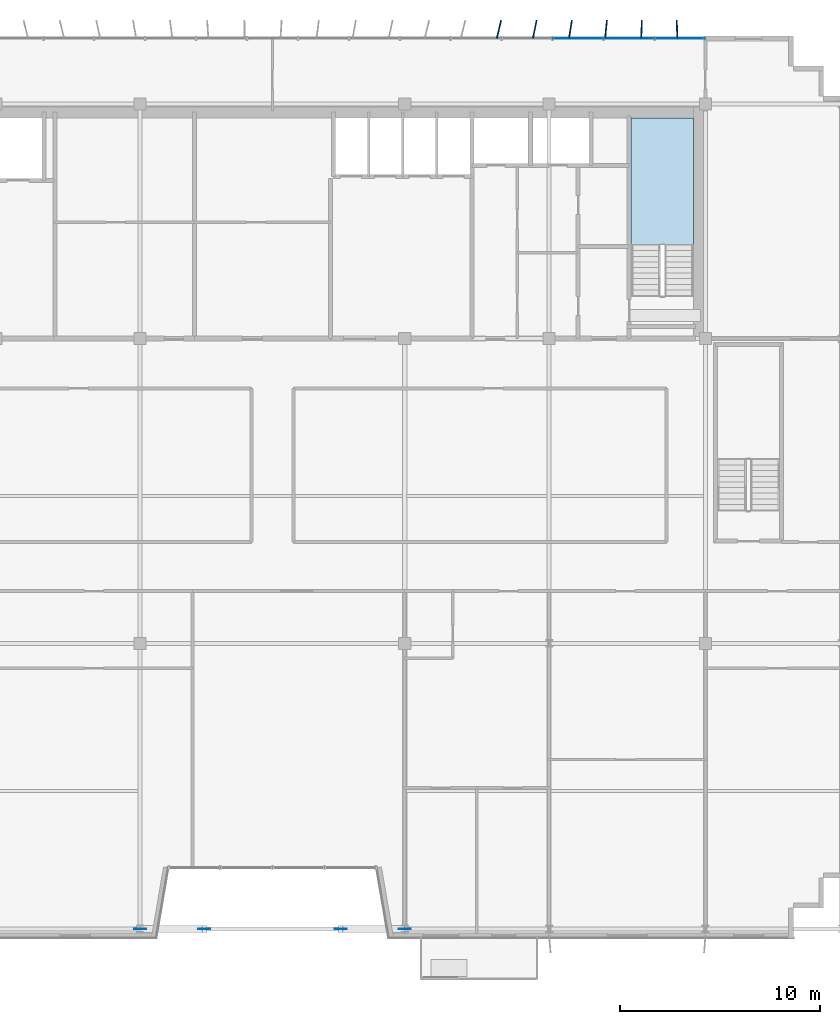
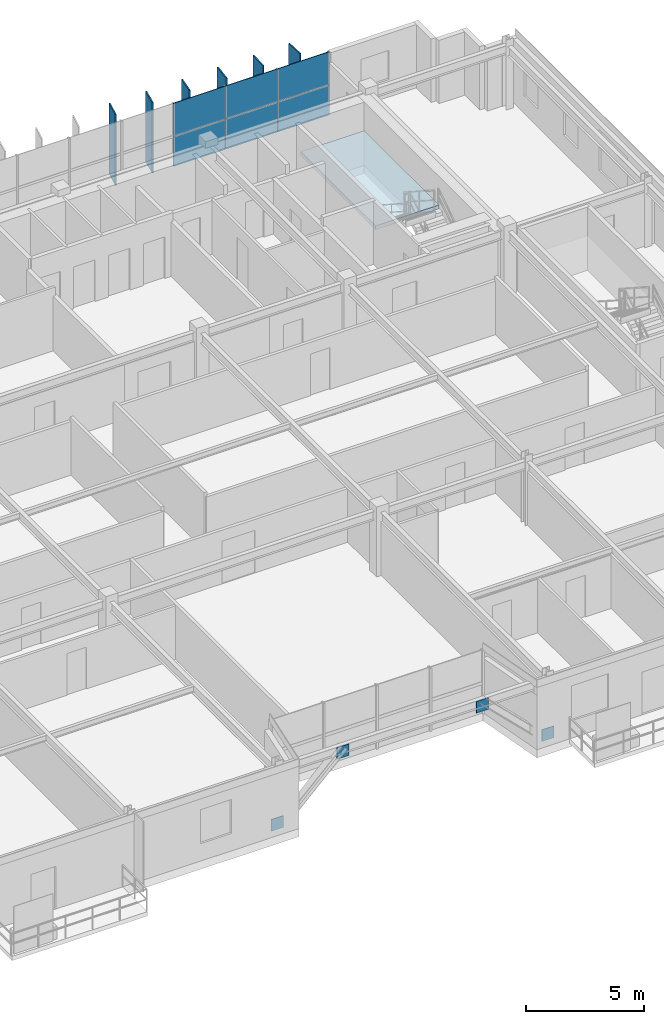
# One storey, part 20 of 28: 16 plates, 1 slab, 2 elements without a shape of their own.
"""IFC4 building model written with IfcOpenShell, lengths in metres."""

from ifc_helpers import new_model, si_unit, direction, frame, origin, origin_2d, place, context, subcontext, project, spatial, polyline, rectangle, outline, extrude, source, transform, mapped, material, layer, layer_set, type_object, element, aggregate, save


model = new_model("IFC4")

# Units and contexts
model_context = context("Model", 3, precision=1e-05, world=origin(), true_north=direction((0.0, 1.0)))
body_context = subcontext(model_context, "Body", "Model", "MODEL_VIEW")
ifc_project = project(units=[si_unit("LENGTHUNIT", "METRE"), si_unit("AREAUNIT", "SQUARE_METRE"), si_unit("VOLUMEUNIT", "CUBIC_METRE"), si_unit("PLANEANGLEUNIT", "RADIAN"), si_unit("MASSUNIT", "GRAM", prefix="KILO")], contexts=[model_context])

# Site, building, storey
site_placement = place(None, origin())
site = spatial("IfcSite", under=ifc_project, at=site_placement, CompositionType="ELEMENT")
building_placement = place(site_placement, origin())
building = spatial("IfcBuilding", under=site, at=building_placement, Name="Trelvane Seafront Commons", CompositionType="ELEMENT")
storey_placement = place(building_placement, frame((0.0, 0.0, 295.5)))
storey = spatial("IfcBuildingStorey", under=building, at=storey_placement, Name="L77", CompositionType="ELEMENT", Elevation=295.5)

# Stair, slab
ifc_material_1 = material(Name="Concrete C40/50", Category="concrete")
stair_type = type_object("IfcStairType", Name="ARCH-STR-ST-2-R20-180", PredefinedType="HALF_TURN_STAIR", material=ifc_material_1)
stair_placement = place(storey_placement, origin())
stair = element("IfcStair", 1, at=stair_placement, inside=storey, type_object=stair_type, Name="L77 East Protected Firefighting Exit Stair ST-2", PredefinedType="HALF_TURN_STAIR")
ifc_layer_1 = layer(ifc_material_1, 0.199951171875, Name="ARCH-LND-200")
ifc_layer_set_1 = layer_set([ifc_layer_1], Name="Concrete C40/50")
slab_type = type_object("IfcSlabType", Name="ARCH-LND-200", PredefinedType="LANDING", material=ifc_layer_set_1)
slab_placement = place(storey_placement, frame((0.0, 0.0, 1.60009765625)))
slab = element("IfcSlab", 2, at=slab_placement, type_object=slab_type, Name="ST-2 landing 1", PredefinedType="LANDING", context=body_context, shape_type="SweptSolid", body=[
    extrude(outline(polyline([(58.199951171875, 38.070068359375), (58.199951171875, 44.39990234375), (55.10009765625, 44.39990234375), (55.10009765625, 38.070068359375), (58.199951171875, 38.070068359375)])), origin(), (0.0, 0.0, 1.0), 0.199951171875),
])
aggregate(stair, [slab])

# Plates
ifc_material_2 = material(Name="Steel SM355 (S355)", Category="steel")
ifc_layer_2 = layer(ifc_material_2, 0.031982421875, Name="STR-PLT-GUS2")
ifc_layer_set_2 = layer_set([ifc_layer_2], Name="Steel SM355 (S355)")
plate_type_1 = type_object("IfcPlateType", Name="STR-PLT-GUS2", PredefinedType="SHEET", material=ifc_layer_set_2)
shared_shape_1 = source(origin(), body_context, "Body", "SweptSolid", [
    extrude(rectangle(XDim=0.60009765625, YDim=0.031982421875, at=origin_2d()), origin(), (0.0, 0.0, 1.0), 0.60009765625),
])
for number, where, z_axis, x_axis, name in (
    (3, (30.60009765625, 3.949951171875, -0.02001953125), (0.0, 0.0, 1.0), (1.0, 0.0, 0.0), "L77 Brace Connection Gusset Plate GP-206"),
    (4, (33.800048828125, 3.949951171875, 2.56005859375), (0.0, 0.0, 1.0), (1.0, 0.0, 0.0), "L77 Brace Connection Gusset Plate GP-207"),
    (5, (43.800048828125, 3.949951171875, -0.02001953125), (0.0, 0.0, 1.0), (1.0, 0.0, 0.0), "L77 Brace Connection Gusset Plate GP-208"),
    (6, (40.60009765625, 3.949951171875, 2.56005859375), (0.0, 0.0, 1.0), (1.0, 0.0, 0.0), "L77 Brace Connection Gusset Plate GP-209"),
):
    element("IfcPlate", number, at=place(storey_placement, frame(where, z_axis=z_axis, x_axis=x_axis)), inside=storey, type_object=plate_type_1, Name=name, PredefinedType="SHEET", context=body_context, shape_type="MappedRepresentation", body=[
        mapped(shared_shape_1, transform((0.0, 0.0, 0.0), x_axis=(1.0, 0.0, 0.0), y_axis=(0.0, 1.0, 0.0), z_axis=(0.0, 0.0, 1.0), scale=1.0)),
    ])
ifc_material_3 = material(Name="Anodised pale-silver aluminium", Category="aluminium")
ifc_layer_3 = layer(ifc_material_3, 0.06005859375, Name="ARCH-PLATE-FIN900")
ifc_layer_set_3 = layer_set([ifc_layer_3], Name="Anodised pale-silver aluminium")
plate_type_2 = type_object("IfcPlateType", Name="ARCH-PLATE-FIN900", PredefinedType="USERDEFINED", material=ifc_layer_set_3)
shared_shape_2 = source(origin(), body_context, "Body", "SweptSolid", [
    extrude(rectangle(XDim=0.89990234375, YDim=0.06005859375, at=origin_2d()), origin(), (0.0, 0.0, 1.0), 3.639892578125),
])
for number, where, z_axis, x_axis, name in (
    (7, (48.502685546875, 48.838134765625, -0.02001953125), (0.0, 0.0, 1.0), (0.22854967359, 0.973532252523, 0.0), "FIN-L77-02171"),
    (8, (50.28955078125, 48.841064453125, -0.02001953125), (0.0, 0.0, 1.0), (0.19889245, 0.980021322897, 0.0), "FIN-L77-02172"),
    (9, (52.069580078125, 48.844482421875, -0.02001953125), (0.0, 0.0, 1.0), (0.154444836165, 0.988001413249, 0.0), "FIN-L77-02173"),
    (10, (53.84423828125, 48.847900390625, -0.02001953125), (0.0, 0.0, 1.0), (0.098227306069, 0.995164004746, 0.0), "FIN-L77-02174"),
    (11, (55.615478515625, 48.849853515625, -0.02001953125), (0.0, 0.0, 1.0), (0.034332604654, 0.999410462352, 0.0), "FIN-L77-02175"),
    (12, (57.385498046875, 48.849853515625, -0.02001953125), (0.0, 0.0, 1.0), (-0.03211202744, 0.999484275861, 0.0), "FIN-L77-02176"),
):
    element("IfcPlate", number, at=place(storey_placement, frame(where, z_axis=z_axis, x_axis=x_axis)), inside=storey, type_object=plate_type_2, Name=name, ObjectType="FIN", PredefinedType="USERDEFINED", context=body_context, shape_type="MappedRepresentation", body=[
        mapped(shared_shape_2, transform((0.0, 0.0, 0.0), x_axis=(1.0, 0.0, 0.0), y_axis=(0.0, 1.0, 0.0), z_axis=(0.0, 0.0, 1.0), scale=1.0)),
    ])

# Curtain wall, plates
curtain_wall_type = type_object("IfcCurtainWallType", Name="ARCH-CW5-UPTOWER", PredefinedType="NOTDEFINED", material=ifc_material_3)
curtain_wall_placement = place(storey_placement, origin())
curtain_wall = element("IfcCurtainWall", 13, at=curtain_wall_placement, inside=storey, type_object=curtain_wall_type, Name="CW-L77-0122", PredefinedType="NOTDEFINED")
ifc_material_4 = material(Name="Low-E coastal double glazing", Category="glass")
ifc_layer_4 = layer(ifc_material_4, 0.033935546875, Name="ARCH-CW-GLAZ-34")
ifc_layer_set_4 = layer_set([ifc_layer_4], Name="Low-E coastal double glazing")
plate_type_3 = type_object("IfcPlateType", Name="ARCH-CW-GLAZ-34", PredefinedType="CURTAIN_PANEL", material=ifc_layer_set_4)
shared_shape_3 = source(origin(), body_context, "Body", "SweptSolid", [
    extrude(rectangle(XDim=2.51708984375, YDim=0.033935546875, at=origin_2d()), origin(), (0.0, 0.0, 1.0), 1.547119140625),
])
plate_1_placement = place(storey_placement, frame((52.447021484375, 48.3701171875, 0.0), z_axis=(0.0, 0.0, 1.0), x_axis=(1.0, 0.0, 0.0)))
plate_1 = element("IfcPlate", 14, at=plate_1_placement, type_object=plate_type_3, Name="CW-L77-0122-P14-1", PredefinedType="CURTAIN_PANEL", context=body_context, shape_type="MappedRepresentation", body=[
    mapped(shared_shape_3, transform((0.0, 0.0, 0.0), x_axis=(1.0, 0.0, 0.0), y_axis=(0.0, 1.0, 0.0), z_axis=(0.0, 0.0, 1.0), scale=1.0)),
])
plate_2_placement = place(storey_placement, frame((54.98828125, 48.3701171875, 0.0), z_axis=(0.0, 0.0, 1.0), x_axis=(1.0, 0.0, 0.0)))
plate_2 = element("IfcPlate", 15, at=plate_2_placement, type_object=plate_type_3, Name="CW-L77-0122-P15-1", PredefinedType="CURTAIN_PANEL", context=body_context, shape_type="MappedRepresentation", body=[
    mapped(shared_shape_3, transform((0.0, 0.0, 0.0), x_axis=(1.0, 0.0, 0.0), y_axis=(0.0, 1.0, 0.0), z_axis=(0.0, 0.0, 1.0), scale=1.0)),
])
plate_3_placement = place(storey_placement, frame((57.529296875, 48.3701171875, 0.0), z_axis=(0.0, 0.0, 1.0), x_axis=(1.0, 0.0, 0.0)))
plate_3 = element("IfcPlate", 16, at=plate_3_placement, type_object=plate_type_3, Name="CW-L77-0122-P16-1", PredefinedType="CURTAIN_PANEL", context=body_context, shape_type="MappedRepresentation", body=[
    mapped(shared_shape_3, transform((0.0, 0.0, 0.0), x_axis=(1.0, 0.0, 0.0), y_axis=(0.0, 1.0, 0.0), z_axis=(0.0, 0.0, 1.0), scale=1.0)),
])
shared_shape_4 = source(origin(), body_context, "Body", "SweptSolid", [
    extrude(rectangle(XDim=2.51708984375, YDim=0.033935546875, at=origin_2d()), origin(), (0.0, 0.0, 1.0), 1.677001953125),
])
plate_4_placement = place(storey_placement, frame((52.447021484375, 48.3701171875, 1.5830078125), z_axis=(0.0, 0.0, 1.0), x_axis=(1.0, 0.0, 0.0)))
plate_4 = element("IfcPlate", 17, at=plate_4_placement, type_object=plate_type_3, Name="CW-L77-0122-P14-2", PredefinedType="CURTAIN_PANEL", context=body_context, shape_type="MappedRepresentation", body=[
    mapped(shared_shape_4, transform((0.0, 0.0, 0.0), x_axis=(1.0, 0.0, 0.0), y_axis=(0.0, 1.0, 0.0), z_axis=(0.0, 0.0, 1.0), scale=1.0)),
])
plate_5_placement = place(storey_placement, frame((54.98828125, 48.3701171875, 1.5830078125), z_axis=(0.0, 0.0, 1.0), x_axis=(1.0, 0.0, 0.0)))
plate_5 = element("IfcPlate", 18, at=plate_5_placement, type_object=plate_type_3, Name="CW-L77-0122-P15-2", PredefinedType="CURTAIN_PANEL", context=body_context, shape_type="MappedRepresentation", body=[
    mapped(shared_shape_4, transform((0.0, 0.0, 0.0), x_axis=(1.0, 0.0, 0.0), y_axis=(0.0, 1.0, 0.0), z_axis=(0.0, 0.0, 1.0), scale=1.0)),
])
plate_6_placement = place(storey_placement, frame((57.529296875, 48.3701171875, 1.5830078125), z_axis=(0.0, 0.0, 1.0), x_axis=(1.0, 0.0, 0.0)))
plate_6 = element("IfcPlate", 19, at=plate_6_placement, type_object=plate_type_3, Name="CW-L77-0122-P16-2", PredefinedType="CURTAIN_PANEL", context=body_context, shape_type="MappedRepresentation", body=[
    mapped(shared_shape_4, transform((0.0, 0.0, 0.0), x_axis=(1.0, 0.0, 0.0), y_axis=(0.0, 1.0, 0.0), z_axis=(0.0, 0.0, 1.0), scale=1.0)),
])
aggregate(curtain_wall, [plate_1, plate_4, plate_2, plate_5, plate_3, plate_6])

save(model, "model.ifc")
